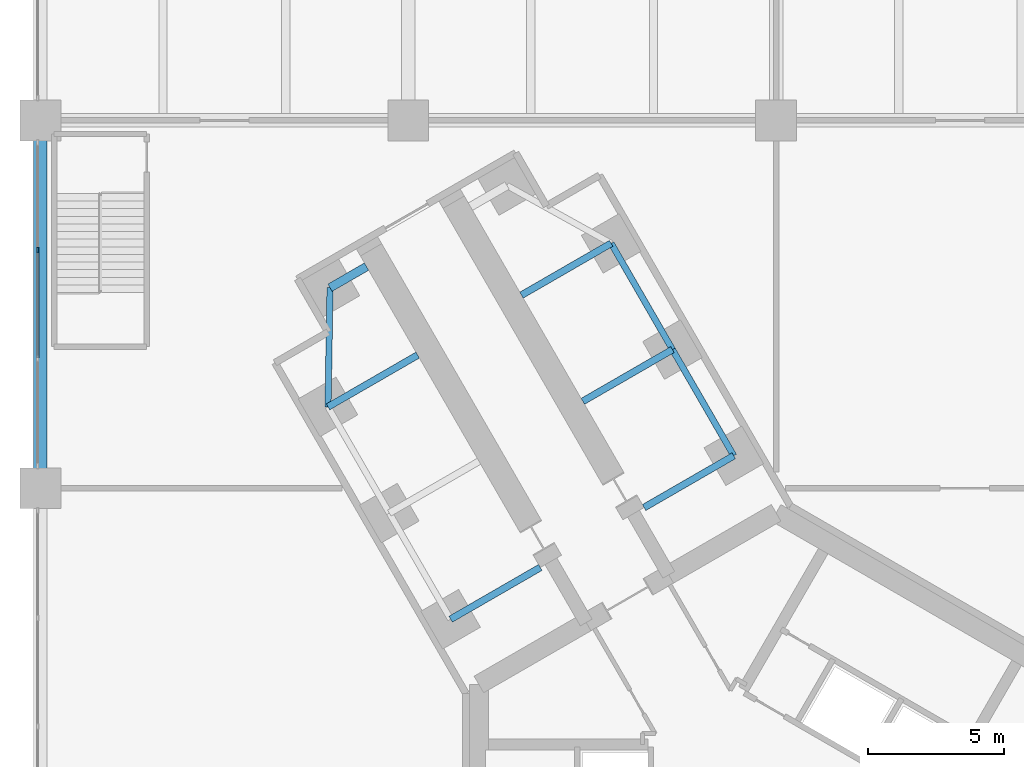
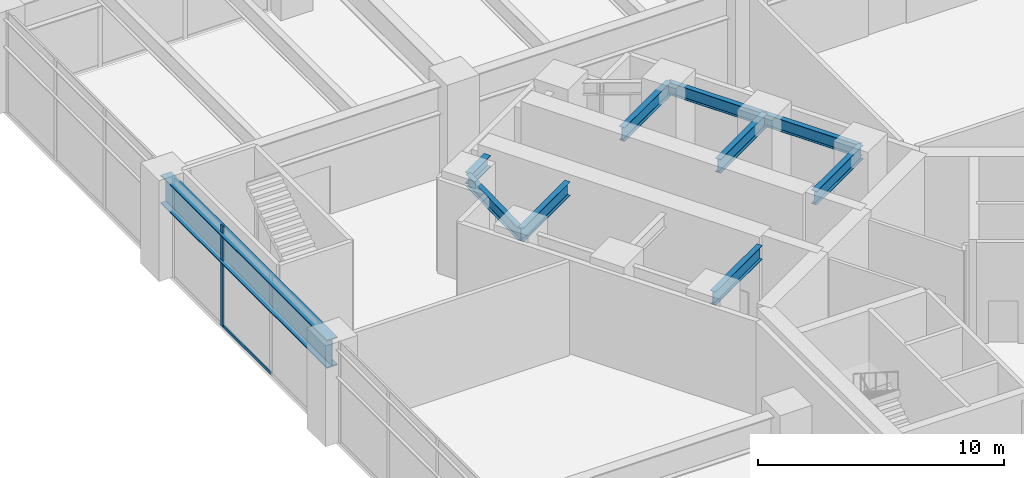
# One storey, part 7 of 32: 10 beams, 2 members, 1 element without a shape of its own.
"""IFC4 building model written with IfcOpenShell, lengths in metres."""

from ifc_helpers import new_model, si_unit, direction, frame, origin, origin_2d, place, context, subcontext, project, spatial, rectangle, i_section, extrude, material, material_profile, profile_set, type_object, element, aggregate, save


model = new_model("IFC4")

# Units and contexts
model_context = context("Model", 3, precision=1e-05, world=origin(), true_north=direction((0.0, 1.0)))
body_context = subcontext(model_context, "Body", "Model", "MODEL_VIEW")
ifc_project = project(units=[si_unit("LENGTHUNIT", "METRE"), si_unit("AREAUNIT", "SQUARE_METRE"), si_unit("VOLUMEUNIT", "CUBIC_METRE"), si_unit("PLANEANGLEUNIT", "RADIAN"), si_unit("MASSUNIT", "GRAM", prefix="KILO")], contexts=[model_context])

# Site, building, storey
site_placement = place(None, origin())
site = spatial("IfcSite", under=ifc_project, at=site_placement, CompositionType="ELEMENT")
building_placement = place(site_placement, origin())
building = spatial("IfcBuilding", under=site, at=building_placement, Name="Upepo Twin Towers", CompositionType="ELEMENT")
storey_placement = place(building_placement, frame((0.0, 0.0, 5.5)))
storey = spatial("IfcBuildingStorey", under=building, at=storey_placement, Name="L01", CompositionType="ELEMENT", Elevation=5.5)

# Beams
ifc_material_1 = material(Name="Steel S355", Category="steel")
ifc_material_profile_1 = material_profile(ifc_material_1, i_section(OverallWidth=0.5, OverallDepth=1.39990234375, WebThickness=0.02490234375, FlangeThickness=0.050048828125, FilletRadius=0.008056640625, at=origin_2d()), Name="PG 1400x500x25x50")
ifc_profile_set_1 = profile_set([ifc_material_profile_1], Name="Steel S355")
beam_type_1 = type_object("IfcBeamType", Name="Beam PG 1400x500x25x50", PredefinedType="BEAM", material=ifc_profile_set_1)
beam_1_placement = place(storey_placement, frame((-27.0, 13.5, 3.949951171875), z_axis=(0.0, 1.0, 0.0), x_axis=(-1.0, 0.0, 0.0)))
element("IfcBeam", 1, at=beam_1_placement, inside=storey, type_object=beam_type_1, Name="Podium girder 1/E-F", PredefinedType="BEAM", context=body_context, shape_type="SweptSolid", body=[
    extrude(i_section(OverallWidth=0.5, OverallDepth=1.39990234375, WebThickness=0.02490234375, FlangeThickness=0.050048828125, FilletRadius=0.008056640625, at=origin_2d()), origin(), (0.0, 0.0, 1.0), 13.5),
])
ifc_material_2 = material(Name="Steel S355", Category="steel")
ifc_material_profile_2 = material_profile(ifc_material_2, i_section(OverallWidth=0.31201171875, OverallDepth=0.54345703125, WebThickness=0.0126953125, FlangeThickness=0.020263671875, FilletRadius=0.0126953125, at=origin_2d()), Name="UB 533x312x150")
ifc_profile_set_2 = profile_set([ifc_material_profile_2], Name="Steel S355")
beam_type_2 = type_object("IfcBeamType", Name="Beam UB 533x312x150", PredefinedType="BEAM", material=ifc_profile_set_2)
beam_2_placement = place(storey_placement, frame((-16.37255859375, 20.858154296875, 4.378173828125), z_axis=(0.866043940782, 0.499967891604, 0.0), x_axis=(-0.499967891604, 0.866043940782, 0.0)))
element("IfcBeam", 2, at=beam_2_placement, inside=storey, type_object=beam_type_2, Name="T1 nose beam BL", PredefinedType="BEAM", context=body_context, shape_type="SweptSolid", body=[
    extrude(i_section(OverallWidth=0.31201171875, OverallDepth=0.54345703125, WebThickness=0.0126953125, FlangeThickness=0.020263671875, FilletRadius=0.0126953125, at=origin_2d()), origin(), (0.0, 0.0, 1.0), 1.5498046875),
])
ifc_material_3 = material(Name="Steel S355", Category="steel")
ifc_material_profile_3 = material_profile(ifc_material_3, i_section(OverallWidth=0.228271484375, OverallDepth=0.607666015625, WebThickness=0.010986328125, FlangeThickness=0.017333984375, FilletRadius=0.0126953125, at=origin_2d()), Name="UB 610x229x113")
ifc_profile_set_3 = profile_set([ifc_material_profile_3], Name="Steel S355")
beam_type_3 = type_object("IfcBeamType", Name="Beam UB 610x229x113", PredefinedType="BEAM", material=ifc_profile_set_3)
beam_3_placement = place(storey_placement, frame((-16.446044921875, 16.485595703125, 4.34619140625), z_axis=(0.016803880528, 0.999858804832, 0.0), x_axis=(-0.999858804832, 0.016803880528, 0.0)))
element("IfcBeam", 3, at=beam_3_placement, inside=storey, type_object=beam_type_3, Name="T1 nose edge beam BL", PredefinedType="BEAM", context=body_context, shape_type="SweptSolid", body=[
    extrude(i_section(OverallWidth=0.228271484375, OverallDepth=0.607666015625, WebThickness=0.010986328125, FlangeThickness=0.017333984375, FilletRadius=0.0126953125, at=origin_2d()), origin(), (0.0, 0.0, 1.0), 4.373291015625),
])
beam_4_placement = place(storey_placement, frame((-1.553955078125, 14.69140625, 4.34619140625), z_axis=(-0.500013631625, 0.866017533419, 0.0), x_axis=(-0.866017533419, -0.500013631625, 0.0)))
element("IfcBeam", 4, at=beam_4_placement, inside=storey, type_object=beam_type_3, Name="T1 edge beam BR 13.5-18.0", PredefinedType="BEAM", context=body_context, shape_type="SweptSolid", body=[
    extrude(i_section(OverallWidth=0.228271484375, OverallDepth=0.607666015625, WebThickness=0.010986328125, FlangeThickness=0.017333984375, FilletRadius=0.0126953125, at=origin_2d()), origin(), (0.0, 0.0, 1.0), 4.499755859375),
])
beam_5_placement = place(storey_placement, frame((-3.803955078125, 18.58837890625, 4.34619140625), z_axis=(-0.499990139034, 0.866031096941, 0.0), x_axis=(-0.866031096941, -0.499990139034, 0.0)))
element("IfcBeam", 5, at=beam_5_placement, inside=storey, type_object=beam_type_3, Name="T1 edge beam BR 18.0-22.5", PredefinedType="BEAM", context=body_context, shape_type="SweptSolid", body=[
    extrude(i_section(OverallWidth=0.228271484375, OverallDepth=0.607666015625, WebThickness=0.010986328125, FlangeThickness=0.017333984375, FilletRadius=0.0126953125, at=origin_2d()), origin(), (0.0, 0.0, 1.0), 4.5),
])
ifc_material_4 = material(Name="Steel S355", Category="steel")
ifc_material_profile_4 = material_profile(ifc_material_4, i_section(OverallWidth=0.253662109375, OverallDepth=0.68359375, WebThickness=0.012451171875, FlangeThickness=0.01904296875, FilletRadius=0.01513671875, at=origin_2d()), Name="UB 686x254x140")
ifc_profile_set_4 = profile_set([ifc_material_profile_4], Name="Steel S355")
beam_type_4 = type_object("IfcBeamType", Name="Beam UB 686x254x140", PredefinedType="BEAM", material=ifc_profile_set_4)
for number, where, z_axis, x_axis, name in (
    (6, (-11.946044921875, 8.69140625, 4.308349609375), (0.866028304915, 0.499994975061, 0.0), (-0.499994975061, 0.866028304915, 0.0), "T1 girder BL at 13.5"),
    (7, (-16.446044921875, 16.485595703125, 4.308349609375), (0.866028304915, 0.499994975061, 0.0), (-0.499994975061, 0.866028304915, 0.0), "T1 girder BL at 22.5"),
):
    element("IfcBeam", number, at=place(storey_placement, frame(where, z_axis=z_axis, x_axis=x_axis)), inside=storey, type_object=beam_type_4, Name=name, PredefinedType="BEAM", context=body_context, shape_type="SweptSolid", body=[
        extrude(i_section(OverallWidth=0.253662109375, OverallDepth=0.68359375, WebThickness=0.012451171875, FlangeThickness=0.01904296875, FilletRadius=0.01513671875, at=origin_2d()), origin(), (0.0, 0.0, 1.0), 3.7998046875),
    ])
beam_6_placement = place(storey_placement, frame((-1.553955078125, 14.69140625, 4.308349609375), z_axis=(-0.866000483506, -0.500043160704, 0.0), x_axis=(0.500043160704, -0.866000483506, 0.0)))
element("IfcBeam", 8, at=beam_6_placement, inside=storey, type_object=beam_type_4, Name="T1 girder BR at 13.5", PredefinedType="BEAM", context=body_context, shape_type="SweptSolid", body=[
    extrude(i_section(OverallWidth=0.253662109375, OverallDepth=0.68359375, WebThickness=0.012451171875, FlangeThickness=0.01904296875, FilletRadius=0.01513671875, at=origin_2d()), origin(), (0.0, 0.0, 1.0), 3.800048828125),
])
for number, where, z_axis, x_axis, name in (
    (9, (-3.803955078125, 18.58837890625, 4.308349609375), (-0.866028304915, -0.499994975061, 0.0), (0.499994975061, -0.866028304915, 0.0), "T1 girder BR at 18.0"),
    (10, (-6.053955078125, 22.485595703125, 4.308349609375), (-0.866028304915, -0.499994975061, 0.0), (0.499994975061, -0.866028304915, 0.0), "T1 girder BR at 22.5"),
):
    element("IfcBeam", number, at=place(storey_placement, frame(where, z_axis=z_axis, x_axis=x_axis)), inside=storey, type_object=beam_type_4, Name=name, PredefinedType="BEAM", context=body_context, shape_type="SweptSolid", body=[
        extrude(i_section(OverallWidth=0.253662109375, OverallDepth=0.68359375, WebThickness=0.012451171875, FlangeThickness=0.01904296875, FilletRadius=0.01513671875, at=origin_2d()), origin(), (0.0, 0.0, 1.0), 3.7998046875),
    ])

# Curtain wall, members
ifc_material_5 = material(Name="Aluminium and clear glass", Category="aluminium")
curtain_wall_type = type_object("IfcCurtainWallType", Name="Podium curtain wall PW1", PredefinedType="NOTDEFINED", material=ifc_material_5)
curtain_wall_placement = place(storey_placement, origin())
curtain_wall = element("IfcCurtainWall", 11, at=curtain_wall_placement, inside=storey, type_object=curtain_wall_type, Name="Podium L01 curtain wall W2", PredefinedType="NOTDEFINED")
ifc_material_6 = material(Name="Aluminium mullion", Category="aluminium")
ifc_material_profile_5 = material_profile(ifc_material_6, rectangle(XDim=0.06494140625, YDim=0.199951171875, at=origin_2d()), Name="MULLION 65x200 PODIUM")
ifc_profile_set_5 = profile_set([ifc_material_profile_5], Name="Aluminium mullion")
member_type_1 = type_object("IfcMemberType", Name="Mullion 65x200 PW1", PredefinedType="MULLION", material=ifc_profile_set_5)
member_1_placement = place(storey_placement, frame((-27.10009765625, 22.23828125, 0.0), z_axis=(0.0, 0.0, 1.0), x_axis=(1.0, 0.0, 0.0)))
member_1 = element("IfcMember", 12, at=member_1_placement, type_object=member_type_1, Name="Podium L01 curtain wall W2 mullion 2", PredefinedType="MULLION", context=body_context, shape_type="SweptSolid", body=[
    extrude(rectangle(XDim=0.06494140625, YDim=0.199951171875, at=origin_2d()), origin(), (0.0, 0.0, 1.0), 5.0),
])
ifc_material_7 = material(Name="Aluminium transom", Category="aluminium")
ifc_material_profile_6 = material_profile(ifc_material_7, rectangle(XDim=0.06494140625, YDim=0.14990234375, at=origin_2d()), Name="TRANSOM 65x150 PODIUM")
ifc_profile_set_6 = profile_set([ifc_material_profile_6], Name="Aluminium transom")
member_type_2 = type_object("IfcMemberType", Name="Transom 65x150 PW1", PredefinedType="USERDEFINED", material=ifc_profile_set_6)
member_2_placement = place(storey_placement, frame((-27.10009765625, 22.205810546875, 0.074951171875), z_axis=(0.0, -1.0, 0.0), x_axis=(1.0, 0.0, 0.0)))
member_2 = element("IfcMember", 13, at=member_2_placement, type_object=member_type_2, Name="Podium L01 curtain wall W2 transom 2", ObjectType="TRANSOM", PredefinedType="USERDEFINED", context=body_context, shape_type="SweptSolid", body=[
    extrude(rectangle(XDim=0.06494140625, YDim=0.14990234375, at=origin_2d()), origin(), (0.0, 0.0, 1.0), 3.91162109375),
])
aggregate(curtain_wall, [member_1, member_2])

save(model, "model.ifc")
